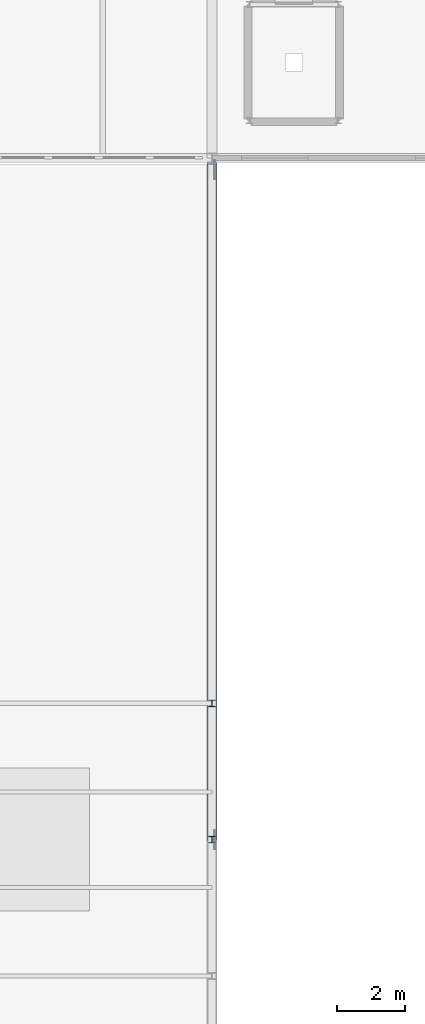
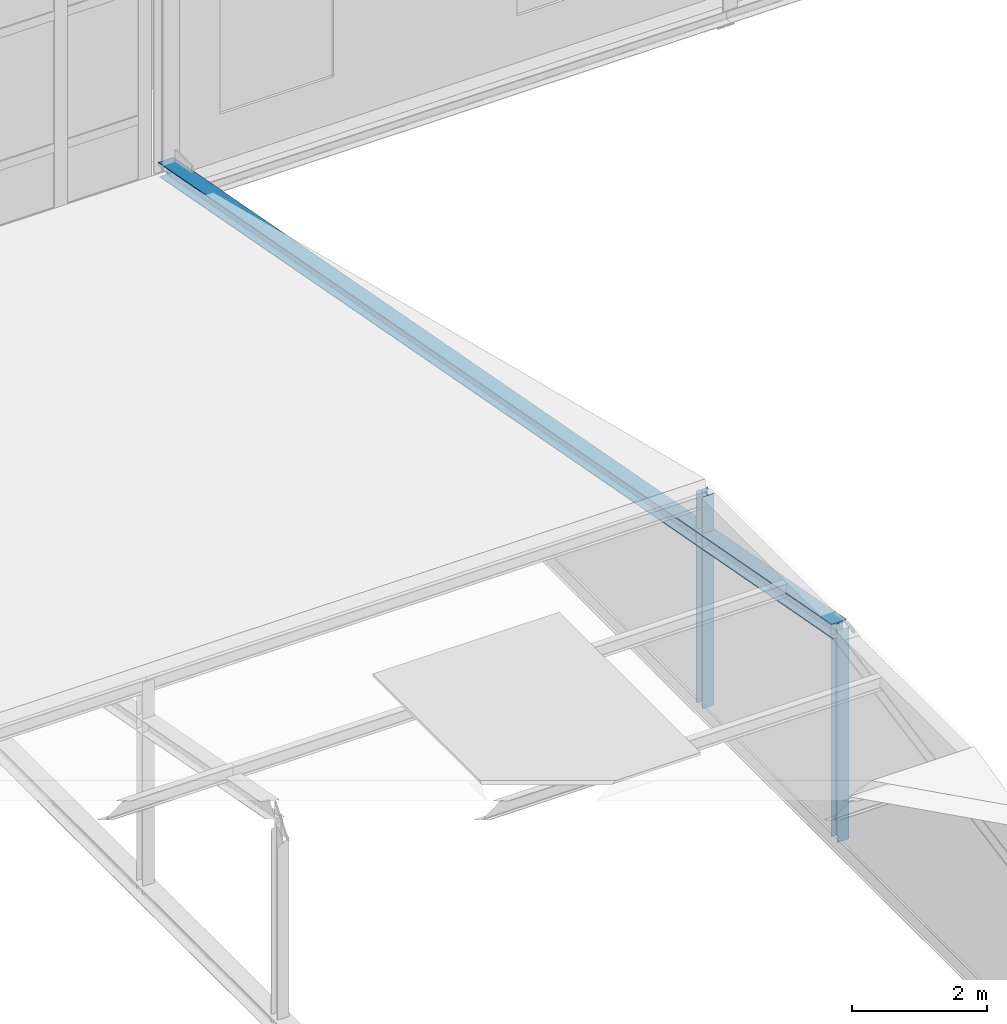
# One storey, part 34 of 73: 3 members.
"""IFC4 building model written with IfcOpenShell, lengths in metres."""

import ifcopenshell
import ifcopenshell.guid

model = None  # the IFC model being written
_history = None  # IfcOwnerHistory: only IFC2X3 demands one
_inside = {}  # id of a spatial element -> (the spatial element, [elements in it])
_under = {}  # id of a project, library or spatial element -> (it, [spatial elements below it])
_declared = {}  # id of a project -> (the project, [libraries it declares])
_typed = {}  # id of a type object -> (the type object, [elements of that type])
_made_of = {}  # id of a material, layer set ... -> (it, [elements and type objects made of it])


def new_model(schema):
    """Start an empty IFC model of exactly this schema.

    Asked for "IFC4X3", IfcOpenShell would pick the latest addendum, in which some entities
    have other attributes; the version numbers below select the first issue.
    IFC2X3 requires an IfcOwnerHistory on every rooted entity: one is made here for all.
    """
    global model, _history
    if schema == "IFC4X3":
        model = ifcopenshell.file(schema_version=(4, 3, 0, 0))
    else:
        model = ifcopenshell.file(schema=schema)
    _inside.clear()
    _under.clear()
    _declared.clear()
    _typed.clear()
    _made_of.clear()
    _history = None
    if model.schema == "IFC2X3":
        org = make("IfcOrganization", Name="unknown")
        user = make(
            "IfcPersonAndOrganization",
            ThePerson=make("IfcPerson", FamilyName="unknown"),
            TheOrganization=org,
        )
        app = make(
            "IfcApplication",
            ApplicationDeveloper=org,
            Version="unknown",
            ApplicationFullName="unknown",
            ApplicationIdentifier="unknown",
        )
        _history = make(
            "IfcOwnerHistory",
            OwningUser=user,
            OwningApplication=app,
            ChangeAction="ADDED",
            CreationDate=0,
        )
    return model


def make(cls, **values):
    """One entity of the class cls with the attributes given. An attribute that is None is left unset."""
    return model.create_entity(
        cls, **{name: value for name, value in values.items() if value is not None}
    )


def rooted(cls, **values):
    """An entity with a GlobalId (a new one), such as an element, a storey or a relation."""
    return make(cls, GlobalId=ifcopenshell.guid.new(), OwnerHistory=_history, **values)


def si_unit(unit_type, name, prefix=None):
    """IfcSIUnit, for example si_unit("LENGTHUNIT", "METRE", prefix="MILLI")."""
    return make("IfcSIUnit", UnitType=unit_type, Prefix=prefix, Name=name)


def assignment(units):
    """IfcUnitAssignment: the units of a project."""
    return None if units is None else make("IfcUnitAssignment", Units=units)


def point(xyz):
    """IfcCartesianPoint."""
    return None if xyz is None else make("IfcCartesianPoint", Coordinates=xyz)


def direction(xyz):
    """IfcDirection."""
    return None if xyz is None else make("IfcDirection", DirectionRatios=xyz)


def frame(location, z_axis=None, x_axis=None):
    """IfcAxis2Placement3D, a coordinate frame: its origin and axes. An axis left out is left unset."""
    return make(
        "IfcAxis2Placement3D",
        Location=point(location),
        Axis=direction(z_axis),
        RefDirection=direction(x_axis),
    )


def frame_2d(location, x_axis=None):
    """IfcAxis2Placement2D, a coordinate frame in the plane: its origin and x axis."""
    return make(
        "IfcAxis2Placement2D", Location=point(location), RefDirection=direction(x_axis)
    )


def origin():
    """The frame at (0, 0, 0) with its axes left unset."""
    return frame((0.0, 0.0, 0.0))


def origin_2d():
    """The frame at (0, 0) in the plane with its x axis left unset."""
    return frame_2d((0.0, 0.0))


def place(relative_to, where):
    """IfcLocalPlacement: puts the frame where relative to a parent placement (None: the world)."""
    return make(
        "IfcLocalPlacement", PlacementRelTo=relative_to, RelativePlacement=where
    )


def context(
    kind, dimensions, precision=None, world=None, true_north=None, identifier=None
):
    """IfcGeometricRepresentationContext, for example the 3D "Model" context."""
    return make(
        "IfcGeometricRepresentationContext",
        ContextIdentifier=identifier,
        ContextType=kind,
        CoordinateSpaceDimension=dimensions,
        Precision=precision,
        WorldCoordinateSystem=world,
        TrueNorth=true_north,
    )


def subcontext(parent, identifier, kind, view, scale=None):
    """IfcGeometricRepresentationSubContext, for example "Body" below "Model"."""
    return make(
        "IfcGeometricRepresentationSubContext",
        ContextIdentifier=identifier,
        ContextType=kind,
        ParentContext=parent,
        TargetScale=scale,
        TargetView=view,
    )


def project(units=None, contexts=None):
    """IfcProject with its units and contexts."""
    return rooted(
        "IfcProject",
        Name="project",
        RepresentationContexts=contexts,
        UnitsInContext=assignment(units),
    )


def spatial(cls, under=None, at=None, **own):
    """A site, building, storey or space (cls), placed at a placement, below another one or the project."""
    s = rooted(cls, ObjectPlacement=at, **own)
    if under is not None:
        _under.setdefault(under.id(), (under, []))[1].append(s)
    return s


def profile(cls, at=None, kind="AREA", **sizes):
    """A parametric profile (cls). Its sizes go by their IFC names, for example OverallWidth=200.0."""
    return make(cls, ProfileType=kind, Position=at, **sizes)


def i_section(**sizes):
    """IfcIShapeProfileDef."""
    return profile("IfcIShapeProfileDef", **sizes)


def extrude(swept, where, along, depth):
    """IfcExtrudedAreaSolid: the profile swept, set in the frame where, extruded along a direction by depth."""
    return make(
        "IfcExtrudedAreaSolid",
        SweptArea=swept,
        Position=where,
        ExtrudedDirection=direction(along),
        Depth=depth,
    )


def shape(context_of_items, identifier, shape_type, items):
    """IfcShapeRepresentation: the items that make up one representation, for example the "Body"."""
    return make(
        "IfcShapeRepresentation",
        ContextOfItems=context_of_items,
        RepresentationIdentifier=identifier,
        RepresentationType=shape_type,
        Items=items,
    )


def material(Name=None, Category=None):
    """IfcMaterial."""
    return make("IfcMaterial", Name=Name, Category=Category)


def material_profile(
    of_material, cross_section, Name=None, Category=None, Priority=None
):
    """IfcMaterialProfile: a cross section and its material."""
    return make(
        "IfcMaterialProfile",
        Name=Name,
        Material=of_material,
        Profile=cross_section,
        Priority=Priority,
        Category=Category,
    )


def profile_set(profiles, Name=None, composite=None):
    """IfcMaterialProfileSet."""
    return make(
        "IfcMaterialProfileSet",
        Name=Name,
        MaterialProfiles=profiles,
        CompositeProfile=composite,
    )


def made_of(thing, what):
    """Note that an element or type object is made of a material, layer set ...; save() writes the relation."""
    if what is not None:
        _made_of.setdefault(what.id(), (what, []))[1].append(thing)
    return thing


def type_object(cls, material=None, **own):
    """A type object (cls), such as IfcWallType, which elements share."""
    return made_of(rooted(cls, **own), material)


def element(
    cls,
    number,
    at=None,
    inside=None,
    cuts=None,
    type_object=None,
    material=None,
    context=None,
    identifier="Body",
    shape_type=None,
    held_by="IfcProductDefinitionShape",
    body=None,
    shapes=None,
    **own,
):
    """One element of the class cls, such as IfcWall. Its Tag is "e" and its number.

    at: its placement. inside: the storey or other place that contains it. cuts: it is an
    opening in that element (IfcRelVoidsElement). A single representation is given by context,
    identifier, shape_type and body (its items); several are given by shapes. held_by: the class
    of the entity that holds the representations. save() writes the other relations.
    """
    e = rooted(cls, Tag="e%d" % number, ObjectPlacement=at, **own)
    if body is not None:
        shapes = [shape(context, identifier, shape_type, body)]
    if shapes is not None:
        e.Representation = make(held_by, Representations=shapes)
    if inside is not None:
        _inside.setdefault(inside.id(), (inside, []))[1].append(e)
    if cuts is not None:
        rooted(
            "IfcRelVoidsElement", RelatingBuildingElement=cuts, RelatedOpeningElement=e
        )
    if type_object is not None:
        _typed.setdefault(type_object.id(), (type_object, []))[1].append(e)
    return made_of(e, material)


def aggregate(whole, parts):
    """IfcRelAggregates: a whole, such as a stair, and the parts it consists of."""
    return rooted("IfcRelAggregates", RelatingObject=whole, RelatedObjects=parts)


def save(model, path):
    """Write the relations noted so far, then the file.

    IfcRelAggregates (storeys below a building ...), IfcRelContainedInSpatialStructure (elements
    in a storey), IfcRelDefinesByType, IfcRelAssociatesMaterial and IfcRelDeclares: one each for
    every whole, place, type object, material and project.
    """
    for whole, parts in _under.values():
        aggregate(whole, parts)
    for where, things in _inside.values():
        rooted(
            "IfcRelContainedInSpatialStructure",
            RelatedElements=things,
            RelatingStructure=where,
        )
    for kind, things in _typed.values():
        rooted("IfcRelDefinesByType", RelatedObjects=things, RelatingType=kind)
    for what, things in _made_of.values():
        rooted("IfcRelAssociatesMaterial", RelatedObjects=things, RelatingMaterial=what)
    for by, libraries in _declared.values():
        rooted("IfcRelDeclares", RelatingContext=by, RelatedDefinitions=libraries)
    model.write(path)


model = new_model("IFC4")

# Units and contexts
model_context = context("Model", 3, precision=1e-05, world=origin(), true_north=direction((0.0, 1.0)))
body_context = subcontext(model_context, "Body", "Model", "MODEL_VIEW")
ifc_project = project(units=[si_unit("LENGTHUNIT", "METRE"), si_unit("AREAUNIT", "SQUARE_METRE"), si_unit("VOLUMEUNIT", "CUBIC_METRE"), si_unit("PLANEANGLEUNIT", "RADIAN"), si_unit("MASSUNIT", "GRAM", prefix="KILO")], contexts=[model_context])

# Site, building, storey
site_placement = place(None, origin())
site = spatial("IfcSite", under=ifc_project, at=site_placement, CompositionType="ELEMENT")
building_placement = place(site_placement, origin())
building = spatial("IfcBuilding", under=site, at=building_placement, Name="Alderhovde Museum", CompositionType="ELEMENT")
storey_placement = place(building_placement, frame((0.0, 0.0, 17.39990234375)))
storey = spatial("IfcBuildingStorey", under=building, at=storey_placement, Name="L04", CompositionType="ELEMENT", Elevation=17.39990234375)

# Members
ifc_material_1 = material(Name="Steel S355J2", Category="steel")
ifc_material_profile_1 = material_profile(ifc_material_1, i_section(OverallWidth=0.260009765625, OverallDepth=0.25, WebThickness=0.007568359375, FlangeThickness=0.012451171875, FilletRadius=0.02392578125, at=origin_2d()), Name="HEA 260")
ifc_profile_set_1 = profile_set([ifc_material_profile_1], Name="Steel S355J2")
member_type_1 = type_object("IfcMemberType", Name="TR-CH-HEA260", PredefinedType="CHORD", material=ifc_profile_set_1)
member_placement = place(storey_placement, frame((115.199951171875, 72.0, 0.150146484375), z_axis=(0.0, -0.982872186934, 0.18428853505), x_axis=(1.0, 0.0, 0.0)))
element("IfcMember", 1, at=member_placement, inside=storey, type_object=member_type_1, Name="Atrium Truss X=115.2 North Rafter", PredefinedType="CHORD", context=body_context, shape_type="SweptSolid", body=[
    extrude(i_section(OverallWidth=0.260009765625, OverallDepth=0.25, WebThickness=0.007568359375, FlangeThickness=0.012451171875, FilletRadius=0.02392578125, at=origin_2d()), origin(), (0.0, 0.0, 1.0), 20.3486328125),
])
ifc_material_2 = material(Name="Steel S355J2", Category="steel")
ifc_material_profile_2 = material_profile(ifc_material_2, i_section(OverallWidth=0.199951171875, OverallDepth=0.18994140625, WebThickness=0.006591796875, FlangeThickness=0.010009765625, FilletRadius=0.01806640625, at=origin_2d()), Name="HEA 200")
ifc_profile_set_2 = profile_set([ifc_material_profile_2], Name="Steel S355J2")
member_type_2 = type_object("IfcMemberType", Name="TR-PS-HEA200", PredefinedType="POST", material=ifc_profile_set_2)
for number, where, z_axis, x_axis, name in (
    (2, (115.199951171875, 52.0, 0.1201171875), (0.0, 0.0, 1.0), (1.0, 0.0, 0.0), "Atrium Truss X=115.2 Post P2"),
    (3, (115.199951171875, 56.0, 0.1201171875), (0.0, 0.0, 1.0), (1.0, 0.0, 0.0), "Atrium Truss X=115.2 Post P3"),
):
    element("IfcMember", number, at=place(storey_placement, frame(where, z_axis=z_axis, x_axis=x_axis)), inside=storey, type_object=member_type_2, Name=name, PredefinedType="POST", context=body_context, shape_type="SweptSolid", body=[
        extrude(i_section(OverallWidth=0.199951171875, OverallDepth=0.18994140625, WebThickness=0.006591796875, FlangeThickness=0.010009765625, FilletRadius=0.01806640625, at=origin_2d()), origin(), (0.0, 0.0, 1.0), 3.840087890625),
    ])

save(model, "model.ifc")
